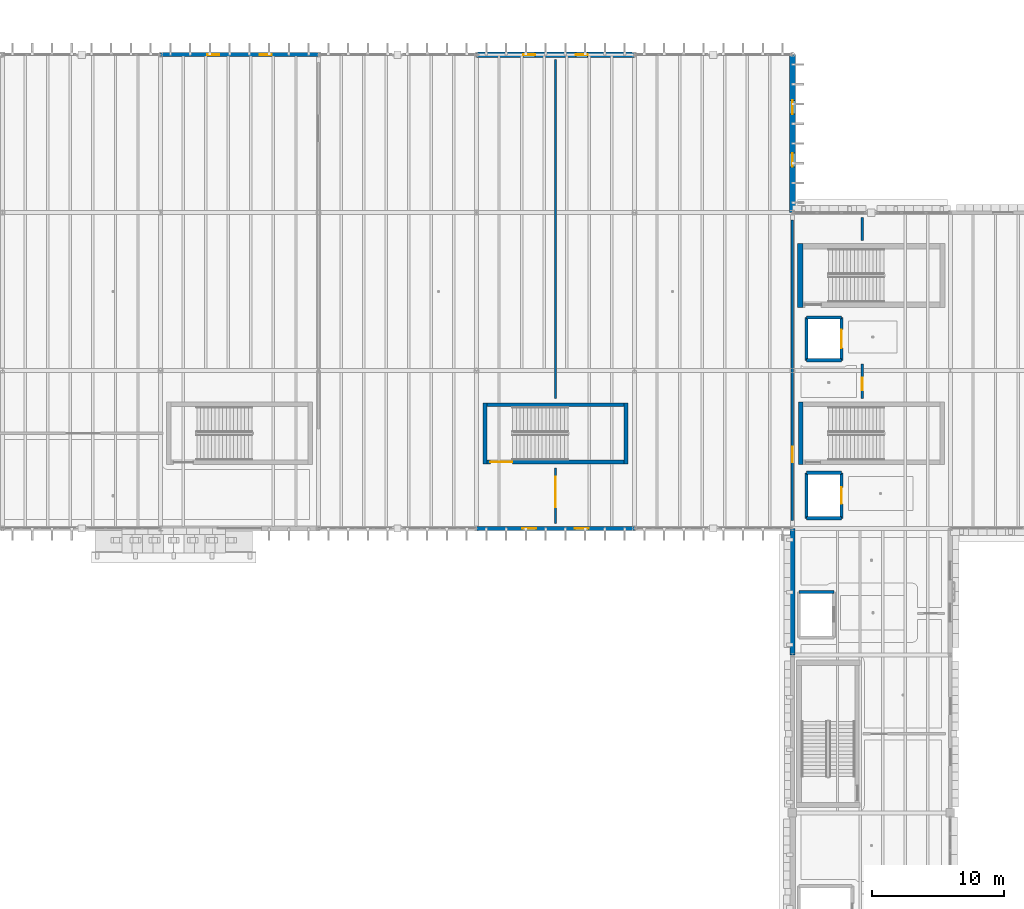
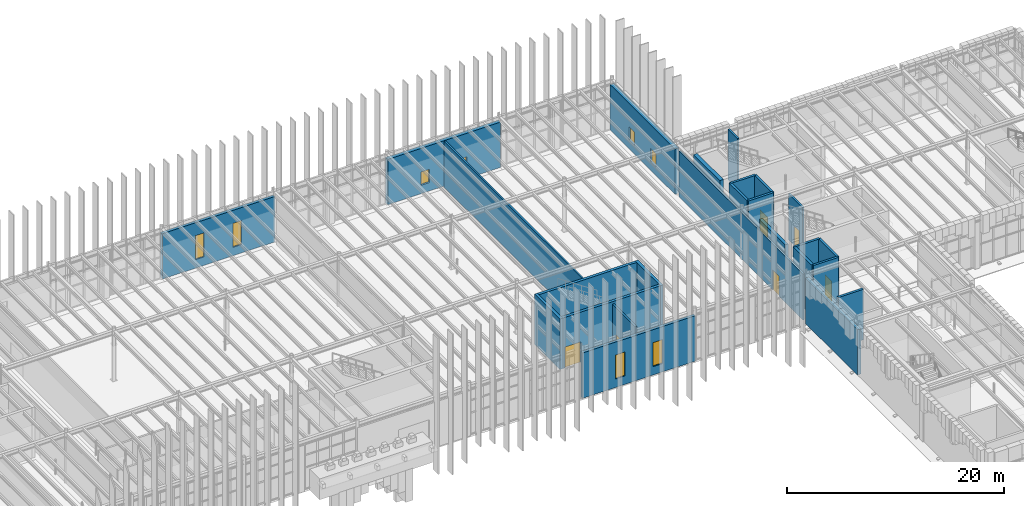
# One storey, part 48 of 83: 25 walls, 8 windows, 6 doors, 14 openings.
"""IFC4 building model written with IfcOpenShell, lengths in metres."""

import ifcopenshell
import ifcopenshell.guid

model = None  # the IFC model being written
_history = None  # IfcOwnerHistory: only IFC2X3 demands one
_inside = {}  # id of a spatial element -> (the spatial element, [elements in it])
_under = {}  # id of a project, library or spatial element -> (it, [spatial elements below it])
_declared = {}  # id of a project -> (the project, [libraries it declares])
_typed = {}  # id of a type object -> (the type object, [elements of that type])
_made_of = {}  # id of a material, layer set ... -> (it, [elements and type objects made of it])


def new_model(schema):
    """Start an empty IFC model of exactly this schema.

    Asked for "IFC4X3", IfcOpenShell would pick the latest addendum, in which some entities
    have other attributes; the version numbers below select the first issue.
    IFC2X3 requires an IfcOwnerHistory on every rooted entity: one is made here for all.
    """
    global model, _history
    if schema == "IFC4X3":
        model = ifcopenshell.file(schema_version=(4, 3, 0, 0))
    else:
        model = ifcopenshell.file(schema=schema)
    _inside.clear()
    _under.clear()
    _declared.clear()
    _typed.clear()
    _made_of.clear()
    _history = None
    if model.schema == "IFC2X3":
        org = make("IfcOrganization", Name="unknown")
        user = make(
            "IfcPersonAndOrganization",
            ThePerson=make("IfcPerson", FamilyName="unknown"),
            TheOrganization=org,
        )
        app = make(
            "IfcApplication",
            ApplicationDeveloper=org,
            Version="unknown",
            ApplicationFullName="unknown",
            ApplicationIdentifier="unknown",
        )
        _history = make(
            "IfcOwnerHistory",
            OwningUser=user,
            OwningApplication=app,
            ChangeAction="ADDED",
            CreationDate=0,
        )
    return model


def make(cls, **values):
    """One entity of the class cls with the attributes given. An attribute that is None is left unset."""
    return model.create_entity(
        cls, **{name: value for name, value in values.items() if value is not None}
    )


def rooted(cls, **values):
    """An entity with a GlobalId (a new one), such as an element, a storey or a relation."""
    return make(cls, GlobalId=ifcopenshell.guid.new(), OwnerHistory=_history, **values)


def si_unit(unit_type, name, prefix=None):
    """IfcSIUnit, for example si_unit("LENGTHUNIT", "METRE", prefix="MILLI")."""
    return make("IfcSIUnit", UnitType=unit_type, Prefix=prefix, Name=name)


def assignment(units):
    """IfcUnitAssignment: the units of a project."""
    return None if units is None else make("IfcUnitAssignment", Units=units)


def point(xyz):
    """IfcCartesianPoint."""
    return None if xyz is None else make("IfcCartesianPoint", Coordinates=xyz)


def direction(xyz):
    """IfcDirection."""
    return None if xyz is None else make("IfcDirection", DirectionRatios=xyz)


def frame(location, z_axis=None, x_axis=None):
    """IfcAxis2Placement3D, a coordinate frame: its origin and axes. An axis left out is left unset."""
    return make(
        "IfcAxis2Placement3D",
        Location=point(location),
        Axis=direction(z_axis),
        RefDirection=direction(x_axis),
    )


def frame_2d(location, x_axis=None):
    """IfcAxis2Placement2D, a coordinate frame in the plane: its origin and x axis."""
    return make(
        "IfcAxis2Placement2D", Location=point(location), RefDirection=direction(x_axis)
    )


def origin():
    """The frame at (0, 0, 0) with its axes left unset."""
    return frame((0.0, 0.0, 0.0))


def place(relative_to, where):
    """IfcLocalPlacement: puts the frame where relative to a parent placement (None: the world)."""
    return make(
        "IfcLocalPlacement", PlacementRelTo=relative_to, RelativePlacement=where
    )


def context(
    kind, dimensions, precision=None, world=None, true_north=None, identifier=None
):
    """IfcGeometricRepresentationContext, for example the 3D "Model" context."""
    return make(
        "IfcGeometricRepresentationContext",
        ContextIdentifier=identifier,
        ContextType=kind,
        CoordinateSpaceDimension=dimensions,
        Precision=precision,
        WorldCoordinateSystem=world,
        TrueNorth=true_north,
    )


def subcontext(parent, identifier, kind, view, scale=None):
    """IfcGeometricRepresentationSubContext, for example "Body" below "Model"."""
    return make(
        "IfcGeometricRepresentationSubContext",
        ContextIdentifier=identifier,
        ContextType=kind,
        ParentContext=parent,
        TargetScale=scale,
        TargetView=view,
    )


def project(units=None, contexts=None):
    """IfcProject with its units and contexts."""
    return rooted(
        "IfcProject",
        Name="project",
        RepresentationContexts=contexts,
        UnitsInContext=assignment(units),
    )


def spatial(cls, under=None, at=None, **own):
    """A site, building, storey or space (cls), placed at a placement, below another one or the project."""
    s = rooted(cls, ObjectPlacement=at, **own)
    if under is not None:
        _under.setdefault(under.id(), (under, []))[1].append(s)
    return s


def profile(cls, at=None, kind="AREA", **sizes):
    """A parametric profile (cls). Its sizes go by their IFC names, for example OverallWidth=200.0."""
    return make(cls, ProfileType=kind, Position=at, **sizes)


def rectangle(**sizes):
    """IfcRectangleProfileDef."""
    return profile("IfcRectangleProfileDef", **sizes)


def extrude(swept, where, along, depth):
    """IfcExtrudedAreaSolid: the profile swept, set in the frame where, extruded along a direction by depth."""
    return make(
        "IfcExtrudedAreaSolid",
        SweptArea=swept,
        Position=where,
        ExtrudedDirection=direction(along),
        Depth=depth,
    )


def shape(context_of_items, identifier, shape_type, items):
    """IfcShapeRepresentation: the items that make up one representation, for example the "Body"."""
    return make(
        "IfcShapeRepresentation",
        ContextOfItems=context_of_items,
        RepresentationIdentifier=identifier,
        RepresentationType=shape_type,
        Items=items,
    )


def material(Name=None, Category=None):
    """IfcMaterial."""
    return make("IfcMaterial", Name=Name, Category=Category)


def layer(
    of_material, thickness, ventilated=None, Name=None, Category=None, Priority=None
):
    """IfcMaterialLayer: one layer of a wall or slab, of a material (None: an air gap)."""
    return make(
        "IfcMaterialLayer",
        Material=of_material,
        LayerThickness=thickness,
        IsVentilated=ventilated,
        Name=Name,
        Category=Category,
        Priority=Priority,
    )


def layer_set(layers, Name=None):
    """IfcMaterialLayerSet."""
    return make("IfcMaterialLayerSet", MaterialLayers=layers, LayerSetName=Name)


def made_of(thing, what):
    """Note that an element or type object is made of a material, layer set ...; save() writes the relation."""
    if what is not None:
        _made_of.setdefault(what.id(), (what, []))[1].append(thing)
    return thing


def type_object(cls, material=None, **own):
    """A type object (cls), such as IfcWallType, which elements share."""
    return made_of(rooted(cls, **own), material)


def element(
    cls,
    number,
    at=None,
    inside=None,
    cuts=None,
    type_object=None,
    material=None,
    context=None,
    identifier="Body",
    shape_type=None,
    held_by="IfcProductDefinitionShape",
    body=None,
    shapes=None,
    **own,
):
    """One element of the class cls, such as IfcWall. Its Tag is "e" and its number.

    at: its placement. inside: the storey or other place that contains it. cuts: it is an
    opening in that element (IfcRelVoidsElement). A single representation is given by context,
    identifier, shape_type and body (its items); several are given by shapes. held_by: the class
    of the entity that holds the representations. save() writes the other relations.
    """
    e = rooted(cls, Tag="e%d" % number, ObjectPlacement=at, **own)
    if body is not None:
        shapes = [shape(context, identifier, shape_type, body)]
    if shapes is not None:
        e.Representation = make(held_by, Representations=shapes)
    if inside is not None:
        _inside.setdefault(inside.id(), (inside, []))[1].append(e)
    if cuts is not None:
        rooted(
            "IfcRelVoidsElement", RelatingBuildingElement=cuts, RelatedOpeningElement=e
        )
    if type_object is not None:
        _typed.setdefault(type_object.id(), (type_object, []))[1].append(e)
    return made_of(e, material)


def fill(opening, filler):
    """IfcRelFillsElement: the door or window that sits in an opening."""
    return rooted(
        "IfcRelFillsElement",
        RelatingOpeningElement=opening,
        RelatedBuildingElement=filler,
    )


def aggregate(whole, parts):
    """IfcRelAggregates: a whole, such as a stair, and the parts it consists of."""
    return rooted("IfcRelAggregates", RelatingObject=whole, RelatedObjects=parts)


def save(model, path):
    """Write the relations noted so far, then the file.

    IfcRelAggregates (storeys below a building ...), IfcRelContainedInSpatialStructure (elements
    in a storey), IfcRelDefinesByType, IfcRelAssociatesMaterial and IfcRelDeclares: one each for
    every whole, place, type object, material and project.
    """
    for whole, parts in _under.values():
        aggregate(whole, parts)
    for where, things in _inside.values():
        rooted(
            "IfcRelContainedInSpatialStructure",
            RelatedElements=things,
            RelatingStructure=where,
        )
    for kind, things in _typed.values():
        rooted("IfcRelDefinesByType", RelatedObjects=things, RelatingType=kind)
    for what, things in _made_of.values():
        rooted("IfcRelAssociatesMaterial", RelatedObjects=things, RelatingMaterial=what)
    for by, libraries in _declared.values():
        rooted("IfcRelDeclares", RelatingContext=by, RelatedDefinitions=libraries)
    model.write(path)


model = new_model("IFC4")

# Units and contexts
model_context = context("Model", 3, precision=1e-05, world=origin(), true_north=direction((0.0, 1.0)))
body_context = subcontext(model_context, "Body", "Model", "MODEL_VIEW")
ifc_project = project(units=[si_unit("LENGTHUNIT", "METRE"), si_unit("AREAUNIT", "SQUARE_METRE"), si_unit("VOLUMEUNIT", "CUBIC_METRE"), si_unit("PLANEANGLEUNIT", "RADIAN"), si_unit("MASSUNIT", "GRAM", prefix="KILO")], contexts=[model_context])

# Site, building, storey
site_placement = place(None, origin())
site = spatial("IfcSite", under=ifc_project, at=site_placement, CompositionType="ELEMENT")
building_placement = place(site_placement, origin())
building = spatial("IfcBuilding", under=site, at=building_placement, Name="Zlatogorsky Bluff Art Gallery", CompositionType="ELEMENT")
storey_placement = place(building_placement, frame((0.0, 0.0, 10.800048828125)))
storey = spatial("IfcBuildingStorey", under=building, at=storey_placement, Name="L02", CompositionType="ELEMENT", Elevation=10.800048828125)

# Wall
ifc_material_1 = material(Name="Precast concrete C40/50", Category="concrete")
ifc_layer_1 = layer(ifc_material_1, 0.360107421875)
ifc_layer_set_1 = layer_set([ifc_layer_1], Name="Exterior Wall EW-01 360mm")
wall_type_1 = type_object("IfcWallType", Name="Exterior Wall EW-01 360mm", PredefinedType="SOLIDWALL", material=ifc_layer_set_1)
wall_1_placement = place(storey_placement, frame((120.0, 84.0, 0.0), z_axis=(0.0, 0.0, 1.0), x_axis=(0.0, -1.0, 0.0)))
element("IfcWall", 1, at=wall_1_placement, inside=storey, type_object=wall_type_1, Name="Exterior wall EW-01 L02 W 10.7", PredefinedType="SOLIDWALL", context=body_context, shape_type="SweptSolid", body=[
    extrude(rectangle(XDim=9.60009765625, YDim=0.360107421875, at=frame_2d((4.800048828125, 0.0))), origin(), (0.0, 0.0, 1.0), 5.10986328125),
])

# Wall, openings, windows
ifc_layer_2 = layer(ifc_material_1, 0.39990234375)
ifc_layer_set_2 = layer_set([ifc_layer_2], Name="Exterior Wall EW-02 400mm")
wall_type_2 = type_object("IfcWallType", Name="Exterior Wall EW-02 400mm", PredefinedType="SOLIDWALL", material=ifc_layer_set_2)
wall_2_placement = place(storey_placement, frame((108.0, 120.0, 0.0), z_axis=(0.0, 0.0, 1.0), x_axis=(-1.0, 0.0, 0.0)))
wall_2 = element("IfcWall", 2, at=wall_2_placement, inside=storey, type_object=wall_type_2, Name="Exterior wall EW-02 L02 N 8.10", PredefinedType="SOLIDWALL", context=body_context, shape_type="SweptSolid", body=[
    extrude(rectangle(XDim=12.0, YDim=0.39990234375, at=frame_2d((6.0, 0.0))), origin(), (0.0, 0.0, 1.0), 5.10986328125),
])
opening_1_placement = place(wall_2_placement, frame((3.550048828125, 0.0, 0.949951171875)))
opening_1 = element("IfcOpeningElement", 3, at=opening_1_placement, cuts=wall_2, Name="Opening WN-01", PredefinedType="OPENING", context=body_context, shape_type="SweptSolid", body=[
    extrude(rectangle(XDim=0.89990234375, YDim=1.5, at=frame_2d((0.449951171875, 0.75))), frame((0.0, 0.2099609375, 0.0), z_axis=(0.0, -1.0, 0.0), x_axis=(1.0, 0.0, 0.0)), (0.0, 0.0, 1.0), 0.419921875),
])
opening_2_placement = place(wall_2_placement, frame((7.550048828125, 0.0, 0.949951171875)))
opening_2 = element("IfcOpeningElement", 4, at=opening_2_placement, cuts=wall_2, Name="Opening WN-01", PredefinedType="OPENING", context=body_context, shape_type="SweptSolid", body=[
    extrude(rectangle(XDim=0.89990234375, YDim=1.5, at=frame_2d((0.449951171875, 0.75))), frame((0.0, 0.2099609375, 0.0), z_axis=(0.0, -1.0, 0.0), x_axis=(1.0, 0.0, 0.0)), (0.0, 0.0, 1.0), 0.419921875),
])
ifc_material_2 = material(Name="Bronze-Anodised Aluminium Triple Glazing", Category="aluminium")
window_type_1 = type_object("IfcWindowType", Name="Pointed-Reveal Window WN-01 900x1500", PartitioningType="SINGLE_PANEL", PredefinedType="WINDOW", material=ifc_material_2)
window_1_placement = place(opening_1_placement, origin())
window_1 = element("IfcWindow", 5, at=window_1_placement, inside=storey, type_object=window_type_1, Name="Window WN-01 L02.N.8.10.1", OverallHeight=1.5, OverallWidth=0.89990234375, PartitioningType="SINGLE_PANEL", PredefinedType="WINDOW", context=body_context, shape_type="SweptSolid", body=[
    extrude(rectangle(XDim=0.89990234375, YDim=1.5, at=frame_2d((0.449951171875, 0.75))), frame((0.0, 0.030029296875, 0.0), z_axis=(0.0, -1.0, 0.0), x_axis=(1.0, 0.0, 0.0)), (0.0, 0.0, 1.0), 0.06005859375),
])
fill(opening_1, window_1)
window_2_placement = place(opening_2_placement, origin())
window_2 = element("IfcWindow", 6, at=window_2_placement, inside=storey, type_object=window_type_1, Name="Window WN-01 L02.N.8.10.2", OverallHeight=1.5, OverallWidth=0.89990234375, PartitioningType="SINGLE_PANEL", PredefinedType="WINDOW", context=body_context, shape_type="SweptSolid", body=[
    extrude(rectangle(XDim=0.89990234375, YDim=1.5, at=frame_2d((0.449951171875, 0.75))), frame((0.0, 0.030029296875, 0.0), z_axis=(0.0, -1.0, 0.0), x_axis=(1.0, 0.0, 0.0)), (0.0, 0.0, 1.0), 0.06005859375),
])
fill(opening_2, window_2)

ifc_layer_3 = layer(ifc_material_1, 0.43994140625)
ifc_layer_set_3 = layer_set([ifc_layer_3], Name="Exterior Wall EW-03 440mm")
wall_type_3 = type_object("IfcWallType", Name="Exterior Wall EW-03 440mm", PredefinedType="SOLIDWALL", material=ifc_layer_set_3)
wall_3_placement = place(storey_placement, frame((120.0, 108.0, 0.0), z_axis=(0.0, 0.0, 1.0), x_axis=(0.0, 1.0, 0.0)))
wall_3 = element("IfcWall", 7, at=wall_3_placement, inside=storey, type_object=wall_type_3, Name="Exterior wall EW-03 L02 E 9.10", PredefinedType="SOLIDWALL", context=body_context, shape_type="SweptSolid", body=[
    extrude(rectangle(XDim=12.0, YDim=0.43994140625, at=frame_2d((6.0, 0.0))), origin(), (0.0, 0.0, 1.0), 5.10986328125),
])
opening_3_placement = place(wall_3_placement, frame((3.47509765625, 0.0, 0.949951171875)))
opening_3 = element("IfcOpeningElement", 8, at=opening_3_placement, cuts=wall_3, Name="Opening WN-02", PredefinedType="OPENING", context=body_context, shape_type="SweptSolid", body=[
    extrude(rectangle(XDim=1.050048828125, YDim=1.5, at=frame_2d((0.52490234375, 0.75))), frame((0.0, 0.22998046875, 0.0), z_axis=(0.0, -1.0, 0.0), x_axis=(1.0, 0.0, 0.0)), (0.0, 0.0, 1.0), 0.4599609375),
])
opening_4_placement = place(wall_3_placement, frame((7.47509765625, 0.0, 0.949951171875)))
opening_4 = element("IfcOpeningElement", 9, at=opening_4_placement, cuts=wall_3, Name="Opening WN-02", PredefinedType="OPENING", context=body_context, shape_type="SweptSolid", body=[
    extrude(rectangle(XDim=1.050048828125, YDim=1.5, at=frame_2d((0.52490234375, 0.75))), frame((0.0, 0.22998046875, 0.0), z_axis=(0.0, -1.0, 0.0), x_axis=(1.0, 0.0, 0.0)), (0.0, 0.0, 1.0), 0.4599609375),
])
window_type_2 = type_object("IfcWindowType", Name="Pointed-Reveal Window WN-02 1050x1500", PartitioningType="SINGLE_PANEL", PredefinedType="WINDOW", material=ifc_material_2)
window_3_placement = place(opening_3_placement, origin())
window_3 = element("IfcWindow", 10, at=window_3_placement, inside=storey, type_object=window_type_2, Name="Window WN-02 L02.E.9.10.1", OverallHeight=1.5, OverallWidth=1.050048828125, PartitioningType="SINGLE_PANEL", PredefinedType="WINDOW", context=body_context, shape_type="SweptSolid", body=[
    extrude(rectangle(XDim=1.050048828125, YDim=1.5, at=frame_2d((0.52490234375, 0.75))), frame((0.0, 0.030029296875, 0.0), z_axis=(0.0, -1.0, 0.0), x_axis=(1.0, 0.0, 0.0)), (0.0, 0.0, 1.0), 0.06005859375),
])
fill(opening_3, window_3)
window_4_placement = place(opening_4_placement, origin())
window_4 = element("IfcWindow", 11, at=window_4_placement, inside=storey, type_object=window_type_2, Name="Window WN-02 L02.E.9.10.2", OverallHeight=1.5, OverallWidth=1.050048828125, PartitioningType="SINGLE_PANEL", PredefinedType="WINDOW", context=body_context, shape_type="SweptSolid", body=[
    extrude(rectangle(XDim=1.050048828125, YDim=1.5, at=frame_2d((0.52490234375, 0.75))), frame((0.0, 0.030029296875, 0.0), z_axis=(0.0, -1.0, 0.0), x_axis=(1.0, 0.0, 0.0)), (0.0, 0.0, 1.0), 0.06005859375),
])
fill(opening_4, window_4)

ifc_layer_4 = layer(ifc_material_1, 0.320068359375)
ifc_layer_set_4 = layer_set([ifc_layer_4], Name="Exterior Wall EW-04 320mm")
wall_type_4 = type_object("IfcWallType", Name="Exterior Wall EW-04 320mm", PredefinedType="SOLIDWALL", material=ifc_layer_set_4)
wall_4_placement = place(storey_placement, frame((84.0, 120.0, 0.0), z_axis=(0.0, 0.0, 1.0), x_axis=(-1.0, 0.0, 0.0)))
wall_4 = element("IfcWall", 12, at=wall_4_placement, inside=storey, type_object=wall_type_4, Name="Exterior wall EW-04 L02 N 6.10", PredefinedType="SOLIDWALL", context=body_context, shape_type="SweptSolid", body=[
    extrude(rectangle(XDim=12.0, YDim=0.320068359375, at=frame_2d((6.0, 0.0))), origin(), (0.0, 0.0, 1.0), 5.10986328125),
])
opening_5_placement = place(wall_4_placement, frame((3.550048828125, 0.0, 0.949951171875)))
opening_5 = element("IfcOpeningElement", 13, at=opening_5_placement, cuts=wall_4, Name="Opening WN-49", PredefinedType="OPENING", context=body_context, shape_type="SweptSolid", body=[
    extrude(rectangle(XDim=0.89990234375, YDim=2.699951171875, at=frame_2d((0.449951171875, 1.35009765625))), frame((0.0, 0.169921875, 0.0), z_axis=(0.0, -1.0, 0.0), x_axis=(1.0, 0.0, 0.0)), (0.0, 0.0, 1.0), 0.340087890625),
])
opening_6_placement = place(wall_4_placement, frame((7.550048828125, 0.0, 0.949951171875)))
opening_6 = element("IfcOpeningElement", 14, at=opening_6_placement, cuts=wall_4, Name="Opening WN-49", PredefinedType="OPENING", context=body_context, shape_type="SweptSolid", body=[
    extrude(rectangle(XDim=0.89990234375, YDim=2.699951171875, at=frame_2d((0.449951171875, 1.35009765625))), frame((0.0, 0.169921875, 0.0), z_axis=(0.0, -1.0, 0.0), x_axis=(1.0, 0.0, 0.0)), (0.0, 0.0, 1.0), 0.340087890625),
])
window_type_3 = type_object("IfcWindowType", Name="Pointed-Reveal Window WN-49 900x2700", PartitioningType="SINGLE_PANEL", PredefinedType="WINDOW", material=ifc_material_2)
window_5_placement = place(opening_5_placement, origin())
window_5 = element("IfcWindow", 15, at=window_5_placement, inside=storey, type_object=window_type_3, Name="Window WN-49 L02.N.6.10.1", OverallHeight=2.699951171875, OverallWidth=0.89990234375, PartitioningType="SINGLE_PANEL", PredefinedType="WINDOW", context=body_context, shape_type="SweptSolid", body=[
    extrude(rectangle(XDim=0.89990234375, YDim=2.699951171875, at=frame_2d((0.449951171875, 1.35009765625))), frame((0.0, 0.030029296875, 0.0), z_axis=(0.0, -1.0, 0.0), x_axis=(1.0, 0.0, 0.0)), (0.0, 0.0, 1.0), 0.06005859375),
])
fill(opening_5, window_5)
window_6_placement = place(opening_6_placement, origin())
window_6 = element("IfcWindow", 16, at=window_6_placement, inside=storey, type_object=window_type_3, Name="Window WN-49 L02.N.6.10.2", OverallHeight=2.699951171875, OverallWidth=0.89990234375, PartitioningType="SINGLE_PANEL", PredefinedType="WINDOW", context=body_context, shape_type="SweptSolid", body=[
    extrude(rectangle(XDim=0.89990234375, YDim=2.699951171875, at=frame_2d((0.449951171875, 1.35009765625))), frame((0.0, 0.030029296875, 0.0), z_axis=(0.0, -1.0, 0.0), x_axis=(1.0, 0.0, 0.0)), (0.0, 0.0, 1.0), 0.06005859375),
])
fill(opening_6, window_6)

wall_5_placement = place(storey_placement, frame((96.0, 84.0, 0.0), z_axis=(0.0, 0.0, 1.0), x_axis=(1.0, 0.0, 0.0)))
wall_5 = element("IfcWall", 17, at=wall_5_placement, inside=storey, type_object=wall_type_4, Name="Exterior wall EW-04 L02 S 8.8", PredefinedType="SOLIDWALL", context=body_context, shape_type="SweptSolid", body=[
    extrude(rectangle(XDim=12.0, YDim=0.320068359375, at=frame_2d((6.0, 0.0))), origin(), (0.0, 0.0, 1.0), 5.10986328125),
])
opening_7_placement = place(wall_5_placement, frame((3.47509765625, 0.0, 0.949951171875)))
opening_7 = element("IfcOpeningElement", 18, at=opening_7_placement, cuts=wall_5, Name="Opening WN-50", PredefinedType="OPENING", context=body_context, shape_type="SweptSolid", body=[
    extrude(rectangle(XDim=1.050048828125, YDim=2.699951171875, at=frame_2d((0.52490234375, 1.35009765625))), frame((0.0, 0.169921875, 0.0), z_axis=(0.0, -1.0, 0.0), x_axis=(1.0, 0.0, 0.0)), (0.0, 0.0, 1.0), 0.340087890625),
])
opening_8_placement = place(wall_5_placement, frame((7.47509765625, 0.0, 0.949951171875)))
opening_8 = element("IfcOpeningElement", 19, at=opening_8_placement, cuts=wall_5, Name="Opening WN-50", PredefinedType="OPENING", context=body_context, shape_type="SweptSolid", body=[
    extrude(rectangle(XDim=1.050048828125, YDim=2.699951171875, at=frame_2d((0.52490234375, 1.35009765625))), frame((0.0, 0.169921875, 0.0), z_axis=(0.0, -1.0, 0.0), x_axis=(1.0, 0.0, 0.0)), (0.0, 0.0, 1.0), 0.340087890625),
])
window_type_4 = type_object("IfcWindowType", Name="Pointed-Reveal Window WN-50 1050x2700", PartitioningType="SINGLE_PANEL", PredefinedType="WINDOW", material=ifc_material_2)
window_7_placement = place(opening_7_placement, origin())
window_7 = element("IfcWindow", 20, at=window_7_placement, inside=storey, type_object=window_type_4, Name="Window WN-50 L02.S.8.8.1", OverallHeight=2.699951171875, OverallWidth=1.050048828125, PartitioningType="SINGLE_PANEL", PredefinedType="WINDOW", context=body_context, shape_type="SweptSolid", body=[
    extrude(rectangle(XDim=1.050048828125, YDim=2.699951171875, at=frame_2d((0.52490234375, 1.35009765625))), frame((0.0, 0.030029296875, 0.0), z_axis=(0.0, -1.0, 0.0), x_axis=(1.0, 0.0, 0.0)), (0.0, 0.0, 1.0), 0.06005859375),
])
fill(opening_7, window_7)
window_8_placement = place(opening_8_placement, origin())
window_8 = element("IfcWindow", 21, at=window_8_placement, inside=storey, type_object=window_type_4, Name="Window WN-50 L02.S.8.8.2", OverallHeight=2.699951171875, OverallWidth=1.050048828125, PartitioningType="SINGLE_PANEL", PredefinedType="WINDOW", context=body_context, shape_type="SweptSolid", body=[
    extrude(rectangle(XDim=1.050048828125, YDim=2.699951171875, at=frame_2d((0.52490234375, 1.35009765625))), frame((0.0, 0.030029296875, 0.0), z_axis=(0.0, -1.0, 0.0), x_axis=(1.0, 0.0, 0.0)), (0.0, 0.0, 1.0), 0.06005859375),
])
fill(opening_8, window_8)

# Wall, opening, door
ifc_material_3 = material(Name="Concrete C30/37", Category="concrete")
ifc_layer_5 = layer(ifc_material_3, 0.179931640625)
ifc_layer_set_5 = layer_set([ifc_layer_5], Name="Interior Wall IW-02 180mm")
wall_type_5 = type_object("IfcWallType", Name="Interior Wall IW-02 180mm", PredefinedType="PARTITIONING", material=ifc_layer_set_5)
wall_6_placement = place(storey_placement, frame((102.0, 84.3798828125, 0.0), z_axis=(0.0, 0.0, 1.0), x_axis=(0.0, 1.0, 0.0)))
wall_6 = element("IfcWall", 22, at=wall_6_placement, inside=storey, type_object=wall_type_5, Name="Partition IW-02 between L02-G3-11 and L02-G3-12-S1", PredefinedType="PARTITIONING", context=body_context, shape_type="SweptSolid", body=[
    extrude(rectangle(XDim=4.2001953125, YDim=0.179931640625, at=frame_2d((2.10009765625, 0.0))), origin(), (0.0, 0.0, 1.0), 5.669921875),
])
opening_9_placement = place(wall_6_placement, frame((1.25, 0.0, 0.0)))
opening_9 = element("IfcOpeningElement", 23, at=opening_9_placement, cuts=wall_6, Name="Opening ID-14", PredefinedType="OPENING", context=body_context, shape_type="SweptSolid", body=[
    extrude(rectangle(XDim=2.300048828125, YDim=2.60009765625, at=frame_2d((1.14990234375, 1.300048828125))), frame((0.0, 0.099853515625, 0.0), z_axis=(0.0, -1.0, 0.0), x_axis=(1.0, 0.0, 0.0)), (0.0, 0.0, 1.0), 0.199951171875),
])
ifc_material_4 = material(Name="Anodised Aluminium and Laminated Timber", Category="wood")
door_type_1 = type_object("IfcDoorType", Name="Interior Door ID-14 2300x2600", OperationType="DOUBLE_DOOR_SINGLE_SWING", PredefinedType="DOOR", material=ifc_material_4)
door_1_placement = place(opening_9_placement, origin())
door_1 = element("IfcDoor", 24, at=door_1_placement, inside=storey, type_object=door_type_1, Name="Door ID-14 L02-G3-11-L02-G3-12-S1", OperationType="DOUBLE_DOOR_SINGLE_SWING", OverallHeight=2.60009765625, OverallWidth=2.300048828125, PredefinedType="DOOR", context=body_context, shape_type="SweptSolid", body=[
    extrude(rectangle(XDim=2.300048828125, YDim=2.60009765625, at=frame_2d((1.14990234375, 1.300048828125))), frame((0.0, 0.02490234375, 0.0), z_axis=(0.0, -1.0, 0.0), x_axis=(1.0, 0.0, 0.0)), (0.0, 0.0, 1.0), 0.050048828125),
])
fill(opening_9, door_1)

# Wall
wall_7_placement = place(storey_placement, frame((102.0, 93.8701171875, 0.0), z_axis=(0.0, 0.0, 1.0), x_axis=(0.0, 1.0, 0.0)))
element("IfcWall", 25, at=wall_7_placement, inside=storey, type_object=wall_type_5, Name="Partition IW-02 between L02-G3-11 and L02-G3-12-S2", PredefinedType="PARTITIONING", context=body_context, shape_type="SweptSolid", body=[
    extrude(rectangle(XDim=25.75, YDim=0.179931640625, at=frame_2d((12.875, 0.0))), origin(), (0.0, 0.0, 1.0), 5.179931640625),
])

# Wall, opening, door
wall_8_placement = place(storey_placement, frame((120.0, 84.594482421875, 0.0), z_axis=(0.0, 0.0, 1.0), x_axis=(0.0, 1.0, 0.0)))
wall_8 = element("IfcWall", 26, at=wall_8_placement, inside=storey, type_object=wall_type_5, Name="Partition IW-02 between L02-G3-12 and L02-CR-11", PredefinedType="PARTITIONING", context=body_context, shape_type="SweptSolid", body=[
    extrude(rectangle(XDim=22.84814453125, YDim=0.179931640625, at=frame_2d((11.424072265625, 0.0))), origin(), (0.0, 0.0, 1.0), 5.179931640625),
])
opening_10_placement = place(wall_8_placement, frame((4.451904296875, 0.0, 0.0)))
opening_10 = element("IfcOpeningElement", 27, at=opening_10_placement, cuts=wall_8, Name="Opening ID-06", PredefinedType="OPENING", context=body_context, shape_type="SweptSolid", body=[
    extrude(rectangle(XDim=1.14990234375, YDim=2.25, at=frame_2d((0.574951171875, 1.125))), frame((0.0, 0.099853515625, 0.0), z_axis=(0.0, -1.0, 0.0), x_axis=(1.0, 0.0, 0.0)), (0.0, 0.0, 1.0), 0.199951171875),
])
door_type_2 = type_object("IfcDoorType", Name="Interior Door ID-06 1150x2250", OperationType="SINGLE_SWING_LEFT", PredefinedType="DOOR", material=ifc_material_4)
door_2_placement = place(opening_10_placement, origin())
door_2 = element("IfcDoor", 28, at=door_2_placement, inside=storey, type_object=door_type_2, Name="Door ID-06 L02-G3-12-L02-CR-11", OperationType="SINGLE_SWING_LEFT", OverallHeight=2.25, OverallWidth=1.14990234375, PredefinedType="DOOR", context=body_context, shape_type="SweptSolid", body=[
    extrude(rectangle(XDim=1.14990234375, YDim=2.25, at=frame_2d((0.574951171875, 1.125))), frame((0.0, 0.02490234375, 0.0), z_axis=(0.0, -1.0, 0.0), x_axis=(1.0, 0.0, 0.0)), (0.0, 0.0, 1.0), 0.050048828125),
])
fill(opening_10, door_2)

wall_9_placement = place(storey_placement, frame((125.304931640625, 93.8701171875, 0.0), z_axis=(0.0, 0.0, 1.0), x_axis=(0.0, 1.0, 0.0)))
wall_9 = element("IfcWall", 29, at=wall_9_placement, inside=storey, type_object=wall_type_5, Name="Partition IW-02 between L02-CR-11 and L02-CR-12-S1", PredefinedType="PARTITIONING", context=body_context, shape_type="SweptSolid", body=[
    extrude(rectangle(XDim=2.60986328125, YDim=0.179931640625, at=frame_2d((1.304931640625, 0.0))), origin(), (0.0, 0.0, 1.0), 5.179931640625),
])
opening_11_placement = place(wall_9_placement, frame((0.64990234375, 0.0, 0.0)))
opening_11 = element("IfcOpeningElement", 30, at=opening_11_placement, cuts=wall_9, Name="Opening ID-01", PredefinedType="OPENING", context=body_context, shape_type="SweptSolid", body=[
    extrude(rectangle(XDim=0.919921875, YDim=2.14990234375, at=frame_2d((0.4599609375, 1.074951171875))), frame((0.0, 0.099853515625, 0.0), z_axis=(0.0, -1.0, 0.0), x_axis=(1.0, 0.0, 0.0)), (0.0, 0.0, 1.0), 0.199951171875),
])
door_type_3 = type_object("IfcDoorType", Name="Interior Door ID-01 920x2150", OperationType="SINGLE_SWING_LEFT", PredefinedType="DOOR", material=ifc_material_4)
door_3_placement = place(opening_11_placement, origin())
door_3 = element("IfcDoor", 31, at=door_3_placement, inside=storey, type_object=door_type_3, Name="Door ID-01 L02-CR-11-L02-CR-12-S1", OperationType="SINGLE_SWING_LEFT", OverallHeight=2.14990234375, OverallWidth=0.919921875, PredefinedType="DOOR", context=body_context, shape_type="SweptSolid", body=[
    extrude(rectangle(XDim=0.919921875, YDim=2.14990234375, at=frame_2d((0.4599609375, 1.074951171875))), frame((0.0, 0.02490234375, 0.0), z_axis=(0.0, -1.0, 0.0), x_axis=(1.0, 0.0, 0.0)), (0.0, 0.0, 1.0), 0.050048828125),
])
fill(opening_11, door_3)

# Walls
wall_10_placement = place(storey_placement, frame((125.304931640625, 105.8701171875, 0.0), z_axis=(0.0, 0.0, 1.0), x_axis=(0.0, 1.0, 0.0)))
element("IfcWall", 32, at=wall_10_placement, inside=storey, type_object=wall_type_5, Name="Partition IW-02 between L02-CR-11 and L02-CR-12-S2", PredefinedType="PARTITIONING", context=body_context, shape_type="SweptSolid", body=[
    extrude(rectangle(XDim=1.75, YDim=0.179931640625, at=frame_2d((0.875, 0.0))), origin(), (0.0, 0.0, 1.0), 5.669921875),
])
ifc_material_5 = material(Name="Concrete C35/45", Category="concrete")
ifc_layer_6 = layer(ifc_material_5, 0.25)
ifc_layer_set_6 = layer_set([ifc_layer_6], Name="Interior Wall IW-05 250mm")
wall_type_6 = type_object("IfcWallType", Name="Interior Wall IW-05 250mm", PredefinedType="SOLIDWALL", material=ifc_layer_set_6)
wall_11_placement = place(storey_placement, frame((123.14501953125, 79.175048828125, 0.0), z_axis=(0.0, 0.0, 1.0), x_axis=(-1.0, 0.0, 0.0)))
element("IfcWall", 33, at=wall_11_placement, inside=storey, type_object=wall_type_6, Name="Lift FL-1 shaft wall L02 N", PredefinedType="SOLIDWALL", context=body_context, shape_type="SweptSolid", body=[
    extrude(rectangle(XDim=2.64990234375, YDim=0.25, at=frame_2d((1.324951171875, 0.0))), origin(), (0.0, 0.0, 1.0), 5.68994140625),
])
wall_12_placement = place(storey_placement, frame((121.074951171875, 84.77490234375, 0.0), z_axis=(0.0, 0.0, 1.0), x_axis=(1.0, 0.0, 0.0)))
element("IfcWall", 34, at=wall_12_placement, inside=storey, type_object=wall_type_6, Name="Lift FL-2 shaft wall L02 S", PredefinedType="SOLIDWALL", context=body_context, shape_type="SweptSolid", body=[
    extrude(rectangle(XDim=2.650146484375, YDim=0.25, at=frame_2d((1.3251953125, 0.0))), origin(), (0.0, 0.0, 1.0), 5.68994140625),
])

# Wall, opening, door
wall_13_placement = place(storey_placement, frame((123.72509765625, 84.77490234375, 0.0), z_axis=(0.0, 0.0, 1.0), x_axis=(0.0, 1.0, 0.0)))
wall_13 = element("IfcWall", 35, at=wall_13_placement, inside=storey, type_object=wall_type_6, Name="Lift FL-2 shaft wall L02 E", PredefinedType="SOLIDWALL", context=body_context, shape_type="SweptSolid", body=[
    extrude(rectangle(XDim=3.4501953125, YDim=0.25, at=frame_2d((1.72509765625, 0.0))), origin(), (0.0, 0.0, 1.0), 5.68994140625),
])
opening_12_placement = place(wall_13_placement, frame((1.10009765625, 0.0, 0.0)))
opening_12 = element("IfcOpeningElement", 36, at=opening_12_placement, cuts=wall_13, Name="Opening LD-02", PredefinedType="OPENING", context=body_context, shape_type="SweptSolid", body=[
    extrude(rectangle(XDim=1.25, YDim=2.25, at=frame_2d((0.625, 1.125))), frame((0.0, 0.135009765625, 0.0), z_axis=(0.0, -1.0, 0.0), x_axis=(1.0, 0.0, 0.0)), (0.0, 0.0, 1.0), 0.27001953125),
])
door_type_4 = type_object("IfcDoorType", Name="Interior Door LD-02 1250x2250", OperationType="SLIDING_TO_LEFT", PredefinedType="DOOR", material=ifc_material_4)
door_4_placement = place(opening_12_placement, origin())
door_4 = element("IfcDoor", 37, at=door_4_placement, inside=storey, type_object=door_type_4, Name="Lift FL-2 sliding landing door L02", OperationType="SLIDING_TO_LEFT", OverallHeight=2.25, OverallWidth=1.25, PredefinedType="DOOR", context=body_context, shape_type="SweptSolid", body=[
    extrude(rectangle(XDim=1.25, YDim=2.25, at=frame_2d((0.625, 1.125))), frame((0.0, 0.02490234375, 0.0), z_axis=(0.0, -1.0, 0.0), x_axis=(1.0, 0.0, 0.0)), (0.0, 0.0, 1.0), 0.050048828125),
])
fill(opening_12, door_4)

# Walls
wall_14_placement = place(storey_placement, frame((123.72509765625, 88.22509765625, 0.0), z_axis=(0.0, 0.0, 1.0), x_axis=(-1.0, 0.0, 0.0)))
element("IfcWall", 38, at=wall_14_placement, inside=storey, type_object=wall_type_6, Name="Lift FL-2 shaft wall L02 N", PredefinedType="SOLIDWALL", context=body_context, shape_type="SweptSolid", body=[
    extrude(rectangle(XDim=2.650146484375, YDim=0.25, at=frame_2d((1.3251953125, 0.0))), origin(), (0.0, 0.0, 1.0), 5.68994140625),
])
wall_15_placement = place(storey_placement, frame((121.074951171875, 88.22509765625, 0.0), z_axis=(0.0, 0.0, 1.0), x_axis=(0.0, -1.0, 0.0)))
element("IfcWall", 39, at=wall_15_placement, inside=storey, type_object=wall_type_6, Name="Lift FL-2 shaft wall L02 W", PredefinedType="SOLIDWALL", context=body_context, shape_type="SweptSolid", body=[
    extrude(rectangle(XDim=3.4501953125, YDim=0.25, at=frame_2d((1.72509765625, 0.0))), origin(), (0.0, 0.0, 1.0), 5.68994140625),
])
wall_16_placement = place(storey_placement, frame((121.074951171875, 96.77490234375, 0.0), z_axis=(0.0, 0.0, 1.0), x_axis=(1.0, 0.0, 0.0)))
element("IfcWall", 40, at=wall_16_placement, inside=storey, type_object=wall_type_6, Name="Lift PL-1 shaft wall L02 S", PredefinedType="SOLIDWALL", context=body_context, shape_type="SweptSolid", body=[
    extrude(rectangle(XDim=2.650146484375, YDim=0.25, at=frame_2d((1.3251953125, 0.0))), origin(), (0.0, 0.0, 1.0), 5.68994140625),
])

# Wall, opening, door
wall_17_placement = place(storey_placement, frame((123.72509765625, 96.77490234375, 0.0), z_axis=(0.0, 0.0, 1.0), x_axis=(0.0, 1.0, 0.0)))
wall_17 = element("IfcWall", 41, at=wall_17_placement, inside=storey, type_object=wall_type_6, Name="Lift PL-1 shaft wall L02 E", PredefinedType="SOLIDWALL", context=body_context, shape_type="SweptSolid", body=[
    extrude(rectangle(XDim=3.25, YDim=0.25, at=frame_2d((1.625, 0.0))), origin(), (0.0, 0.0, 1.0), 5.68994140625),
])
opening_13_placement = place(wall_17_placement, frame((0.925048828125, 0.0, 0.0)))
opening_13 = element("IfcOpeningElement", 42, at=opening_13_placement, cuts=wall_17, Name="Opening LD-03", PredefinedType="OPENING", context=body_context, shape_type="SweptSolid", body=[
    extrude(rectangle(XDim=1.39990234375, YDim=2.300048828125, at=frame_2d((0.699951171875, 1.14990234375))), frame((0.0, 0.135009765625, 0.0), z_axis=(0.0, -1.0, 0.0), x_axis=(1.0, 0.0, 0.0)), (0.0, 0.0, 1.0), 0.27001953125),
])
door_type_5 = type_object("IfcDoorType", Name="Interior Door LD-03 1400x2300", OperationType="SLIDING_TO_LEFT", PredefinedType="DOOR", material=ifc_material_4)
door_5_placement = place(opening_13_placement, origin())
door_5 = element("IfcDoor", 43, at=door_5_placement, inside=storey, type_object=door_type_5, Name="Lift PL-1 sliding landing door L02", OperationType="SLIDING_TO_LEFT", OverallHeight=2.300048828125, OverallWidth=1.39990234375, PredefinedType="DOOR", context=body_context, shape_type="SweptSolid", body=[
    extrude(rectangle(XDim=1.39990234375, YDim=2.300048828125, at=frame_2d((0.699951171875, 1.14990234375))), frame((0.0, 0.02490234375, 0.0), z_axis=(0.0, -1.0, 0.0), x_axis=(1.0, 0.0, 0.0)), (0.0, 0.0, 1.0), 0.050048828125),
])
fill(opening_13, door_5)

# Walls
wall_18_placement = place(storey_placement, frame((123.72509765625, 100.02490234375, 0.0), z_axis=(0.0, 0.0, 1.0), x_axis=(-1.0, 0.0, 0.0)))
element("IfcWall", 44, at=wall_18_placement, inside=storey, type_object=wall_type_6, Name="Lift PL-1 shaft wall L02 N", PredefinedType="SOLIDWALL", context=body_context, shape_type="SweptSolid", body=[
    extrude(rectangle(XDim=2.650146484375, YDim=0.25, at=frame_2d((1.3251953125, 0.0))), origin(), (0.0, 0.0, 1.0), 5.68994140625),
])
wall_19_placement = place(storey_placement, frame((121.074951171875, 100.02490234375, 0.0), z_axis=(0.0, 0.0, 1.0), x_axis=(0.0, -1.0, 0.0)))
element("IfcWall", 45, at=wall_19_placement, inside=storey, type_object=wall_type_6, Name="Lift PL-1 shaft wall L02 W", PredefinedType="SOLIDWALL", context=body_context, shape_type="SweptSolid", body=[
    extrude(rectangle(XDim=3.25, YDim=0.25, at=frame_2d((1.625, 0.0))), origin(), (0.0, 0.0, 1.0), 5.68994140625),
])

# Wall, opening, door
ifc_layer_7 = layer(ifc_material_5, 0.300048828125)
ifc_layer_set_7 = layer_set([ifc_layer_7], Name="Interior Wall SW-01 300mm")
wall_type_7 = type_object("IfcWallType", Name="Interior Wall SW-01 300mm", PredefinedType="SHEAR", material=ifc_layer_set_7)
wall_20_placement = place(storey_placement, frame((96.5, 89.050048828125, 0.0), z_axis=(0.0, 0.0, 1.0), x_axis=(1.0, 0.0, 0.0)))
wall_20 = element("IfcWall", 46, at=wall_20_placement, inside=storey, type_object=wall_type_7, Name="Stair ST-01 enclosure wall L02 W0", PredefinedType="SHEAR", context=body_context, shape_type="SweptSolid", body=[
    extrude(rectangle(XDim=11.0, YDim=0.300048828125, at=frame_2d((5.5, 0.0))), origin(), (0.0, 0.0, 1.0), 5.68994140625),
])
opening_14_placement = place(wall_20_placement, frame((0.550048828125, 0.0, 0.0)))
opening_14 = element("IfcOpeningElement", 47, at=opening_14_placement, cuts=wall_20, Name="Opening FD-04", PredefinedType="OPENING", context=body_context, shape_type="SweptSolid", body=[
    extrude(rectangle(XDim=1.679931640625, YDim=2.35009765625, at=frame_2d((0.83984375, 1.175048828125))), frame((0.0, 0.159912109375, 0.0), z_axis=(0.0, -1.0, 0.0), x_axis=(1.0, 0.0, 0.0)), (0.0, 0.0, 1.0), 0.320068359375),
])
door_type_6 = type_object("IfcDoorType", Name="Interior Door FD-04 1680x2350", OperationType="DOUBLE_DOOR_SINGLE_SWING", PredefinedType="DOOR", material=ifc_material_4)
door_6_placement = place(opening_14_placement, origin())
door_6 = element("IfcDoor", 48, at=door_6_placement, inside=storey, type_object=door_type_6, Name="Stair ST-01 fire door L02", OperationType="DOUBLE_DOOR_SINGLE_SWING", OverallHeight=2.35009765625, OverallWidth=1.679931640625, PredefinedType="DOOR", context=body_context, shape_type="SweptSolid", body=[
    extrude(rectangle(XDim=1.679931640625, YDim=2.35009765625, at=frame_2d((0.83984375, 1.175048828125))), frame((0.0, 0.02490234375, 0.0), z_axis=(0.0, -1.0, 0.0), x_axis=(1.0, 0.0, 0.0)), (0.0, 0.0, 1.0), 0.050048828125),
])
fill(opening_14, door_6)

# Walls
wall_21_placement = place(storey_placement, frame((107.35009765625, 88.89990234375, 0.0), z_axis=(0.0, 0.0, 1.0), x_axis=(0.0, 1.0, 0.0)))
element("IfcWall", 49, at=wall_21_placement, inside=storey, type_object=wall_type_7, Name="Stair ST-01 enclosure wall L02 FEND", PredefinedType="SHEAR", context=body_context, shape_type="SweptSolid", body=[
    extrude(rectangle(XDim=4.650146484375, YDim=0.300048828125, at=frame_2d((2.3251953125, 0.0))), origin(), (0.0, 0.0, 1.0), 5.68994140625),
])
wall_22_placement = place(storey_placement, frame((107.5, 93.39990234375, 0.0), z_axis=(0.0, 0.0, 1.0), x_axis=(-1.0, 0.0, 0.0)))
element("IfcWall", 50, at=wall_22_placement, inside=storey, type_object=wall_type_7, Name="Stair ST-01 enclosure wall L02 W1", PredefinedType="SHEAR", context=body_context, shape_type="SweptSolid", body=[
    extrude(rectangle(XDim=11.0, YDim=0.300048828125, at=frame_2d((5.5, 0.0))), origin(), (0.0, 0.0, 1.0), 5.68994140625),
])
wall_23_placement = place(storey_placement, frame((96.64990234375, 93.550048828125, 0.0), z_axis=(0.0, 0.0, 1.0), x_axis=(0.0, -1.0, 0.0)))
element("IfcWall", 51, at=wall_23_placement, inside=storey, type_object=wall_type_7, Name="Stair ST-01 enclosure wall L02 LEND", PredefinedType="SHEAR", context=body_context, shape_type="SweptSolid", body=[
    extrude(rectangle(XDim=4.650146484375, YDim=0.300048828125, at=frame_2d((2.3251953125, 0.0))), origin(), (0.0, 0.0, 1.0), 5.68994140625),
])
ifc_layer_8 = layer(ifc_material_5, 0.35009765625)
ifc_layer_set_8 = layer_set([ifc_layer_8], Name="Interior Wall SW-02 350mm")
wall_type_8 = type_object("IfcWallType", Name="Interior Wall SW-02 350mm", PredefinedType="SHEAR", material=ifc_layer_set_8)
wall_24_placement = place(storey_placement, frame((120.625, 93.60009765625, 0.0), z_axis=(0.0, 0.0, 1.0), x_axis=(0.0, -1.0, 0.0)))
element("IfcWall", 52, at=wall_24_placement, inside=storey, type_object=wall_type_8, Name="Stair ST-02 enclosure wall L02 LEND", PredefinedType="SHEAR", context=body_context, shape_type="SweptSolid", body=[
    extrude(rectangle(XDim=4.75, YDim=0.35009765625, at=frame_2d((2.375, 0.0))), origin(), (0.0, 0.0, 1.0), 5.68994140625),
])
ifc_layer_9 = layer(ifc_material_5, 0.39990234375)
ifc_layer_set_9 = layer_set([ifc_layer_9], Name="Interior Wall SW-03 400mm")
wall_type_9 = type_object("IfcWallType", Name="Interior Wall SW-03 400mm", PredefinedType="SHEAR", material=ifc_layer_set_9)
wall_25_placement = place(storey_placement, frame((120.60009765625, 105.64990234375, 0.0), z_axis=(0.0, 0.0, 1.0), x_axis=(0.0, -1.0, 0.0)))
element("IfcWall", 53, at=wall_25_placement, inside=storey, type_object=wall_type_9, Name="Stair ST-03 enclosure wall L02 LEND", PredefinedType="SHEAR", context=body_context, shape_type="SweptSolid", body=[
    extrude(rectangle(XDim=4.849853515625, YDim=0.39990234375, at=frame_2d((2.4248046875, 0.0))), origin(), (0.0, 0.0, 1.0), 5.68994140625),
])

save(model, "model.ifc")
